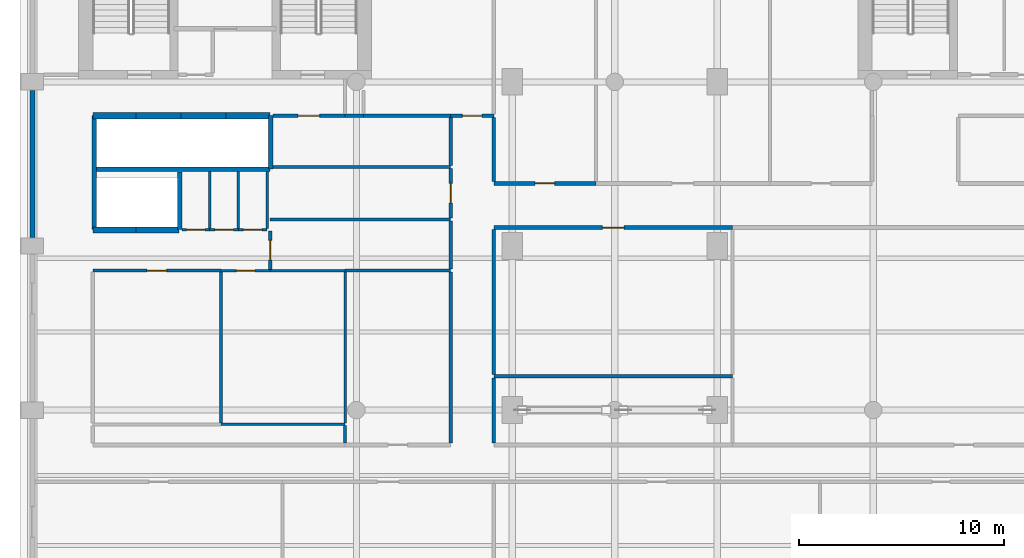
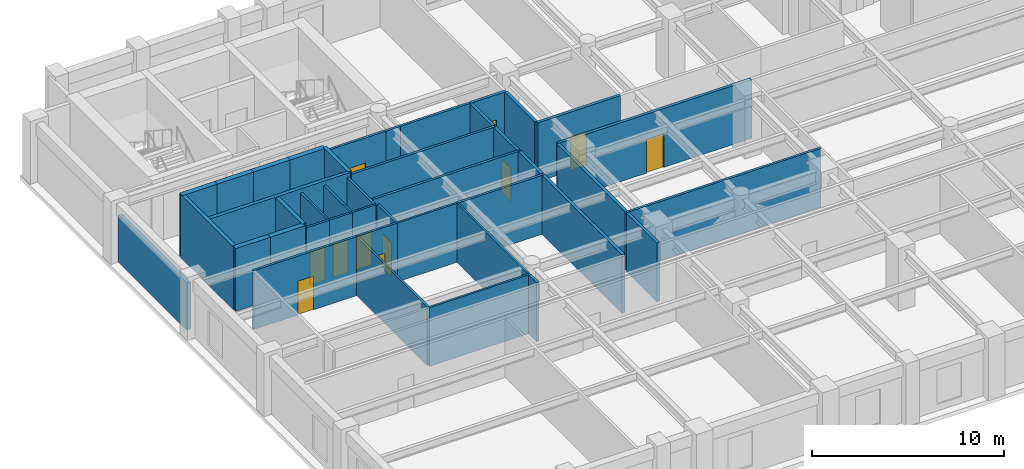
# One storey, part 6 of 11: 42 walls, 11 doors, 11 openings.
"""IFC4 building model written with IfcOpenShell, lengths in metres."""

from ifc_helpers import new_model, si_unit, direction, frame, frame_2d, origin, place, context, subcontext, project, spatial, rectangle, extrude, material, layer, layer_set, type_object, element, fill, save


model = new_model("IFC4")

# Units and contexts
model_context = context("Model", 3, precision=1e-05, world=origin(), true_north=direction((0.0, 1.0)))
body_context = subcontext(model_context, "Body", "Model", "MODEL_VIEW")
ifc_project = project(units=[si_unit("LENGTHUNIT", "METRE"), si_unit("AREAUNIT", "SQUARE_METRE"), si_unit("VOLUMEUNIT", "CUBIC_METRE"), si_unit("PLANEANGLEUNIT", "RADIAN"), si_unit("MASSUNIT", "GRAM", prefix="KILO")], contexts=[model_context])

# Site, building, storey
site_placement = place(None, origin())
site = spatial("IfcSite", under=ifc_project, at=site_placement, CompositionType="ELEMENT")
building_placement = place(site_placement, origin())
building = spatial("IfcBuilding", under=site, at=building_placement, Name="Sulina Concourse Tower", CompositionType="ELEMENT")
storey_placement = place(building_placement, frame((0.0, 0.0, 218.60009765625)))
storey = spatial("IfcBuildingStorey", under=building, at=storey_placement, Name="L53", CompositionType="ELEMENT", Elevation=218.60009765625)

# Walls
ifc_material_1 = material(Name="Concrete C50/60", Category="concrete")
ifc_layer_1 = layer(ifc_material_1, 0.219970703125)
ifc_layer_set_1 = layer_set([ifc_layer_1], Name="Concrete C50/60")
wall_type_1 = type_object("IfcWallType", Name="Core Lift Hoistway Divider Wall 220mm", PredefinedType="SOLIDWALL", material=ifc_layer_set_1)
wall_1_placement = place(storey_placement, frame((3.550048828125, 29.75, 0.0), z_axis=(0.0, 0.0, 1.0), x_axis=(1.0, 0.0, 0.0)))
element("IfcWall", 1, at=wall_1_placement, inside=storey, type_object=wall_type_1, Name="L53 shaft divider wall HW-LP3-S", PredefinedType="SOLIDWALL", context=body_context, shape_type="SweptSolid", body=[
    extrude(rectangle(XDim=8.64990234375, YDim=0.219970703125, at=frame_2d((4.324951171875, 0.0))), origin(), (0.0, 0.0, 1.0), 4.0),
])
wall_2_placement = place(storey_placement, frame((3.6298828125, 26.800048828125, 0.0), z_axis=(0.0, 0.0, 1.0), x_axis=(0.0, 1.0, 0.0)))
element("IfcWall", 2, at=wall_2_placement, inside=storey, type_object=wall_type_1, Name="L53 shaft divider wall HW-LP3-W", PredefinedType="SOLIDWALL", context=body_context, shape_type="SweptSolid", body=[
    extrude(rectangle(XDim=5.550048828125, YDim=0.219970703125, at=frame_2d((2.77490234375, 0.0))), origin(), (0.0, 0.0, 1.0), 4.0),
])
wall_3_placement = place(storey_placement, frame((7.780029296875, 26.800048828125, 0.0), z_axis=(0.0, 0.0, 1.0), x_axis=(0.0, 1.0, 0.0)))
element("IfcWall", 3, at=wall_3_placement, inside=storey, type_object=wall_type_1, Name="L53 shaft divider wall HW-EXP-E", PredefinedType="SOLIDWALL", context=body_context, shape_type="SweptSolid", body=[
    extrude(rectangle(XDim=2.800048828125, YDim=0.219970703125, at=frame_2d((1.39990234375, 0.0))), origin(), (0.0, 0.0, 1.0), 4.0),
])
wall_4_placement = place(storey_placement, frame((12.219970703125, 29.75, 0.0), z_axis=(0.0, 0.0, 1.0), x_axis=(0.0, 1.0, 0.0)))
element("IfcWall", 4, at=wall_4_placement, inside=storey, type_object=wall_type_1, Name="L53 shaft divider wall HW-LP3-E", PredefinedType="SOLIDWALL", context=body_context, shape_type="SweptSolid", body=[
    extrude(rectangle(XDim=2.60009765625, YDim=0.219970703125, at=frame_2d((1.300048828125, 0.0))), origin(), (0.0, 0.0, 1.0), 4.0),
])
ifc_material_2 = material(Name="Concrete C50/60", Category="concrete")
ifc_layer_2 = layer(ifc_material_2, 0.300048828125)
ifc_layer_set_2 = layer_set([ifc_layer_2], Name="Concrete C50/60")
wall_type_2 = type_object("IfcWallType", Name="Core Lift Hoistway Wall 300mm", PredefinedType="SOLIDWALL", material=ifc_layer_set_2)
wall_5_placement = place(storey_placement, frame((3.550048828125, 32.35009765625, 0.0), z_axis=(0.0, 0.0, 1.0), x_axis=(1.0, 0.0, 0.0)))
element("IfcWall", 5, at=wall_5_placement, inside=storey, type_object=wall_type_2, Name="L53 hoistway enclosure wall LP-09", PredefinedType="SOLIDWALL", context=body_context, shape_type="SweptSolid", body=[
    extrude(rectangle(XDim=2.099853515625, YDim=0.300048828125, at=frame_2d((1.0498046875, 0.0))), origin(), (0.0, 0.0, 1.0), 4.0),
])
wall_6_placement = place(storey_placement, frame((5.64990234375, 32.35009765625, 0.0), z_axis=(0.0, 0.0, 1.0), x_axis=(1.0, 0.0, 0.0)))
element("IfcWall", 6, at=wall_6_placement, inside=storey, type_object=wall_type_2, Name="L53 hoistway enclosure wall LP-10", PredefinedType="SOLIDWALL", context=body_context, shape_type="SweptSolid", body=[
    extrude(rectangle(XDim=2.2001953125, YDim=0.300048828125, at=frame_2d((1.10009765625, 0.0))), origin(), (0.0, 0.0, 1.0), 4.0),
])
wall_7_placement = place(storey_placement, frame((7.85009765625, 32.35009765625, 0.0), z_axis=(0.0, 0.0, 1.0), x_axis=(1.0, 0.0, 0.0)))
element("IfcWall", 7, at=wall_7_placement, inside=storey, type_object=wall_type_2, Name="L53 hoistway enclosure wall LP-11", PredefinedType="SOLIDWALL", context=body_context, shape_type="SweptSolid", body=[
    extrude(rectangle(XDim=2.199951171875, YDim=0.300048828125, at=frame_2d((1.10009765625, 0.0))), origin(), (0.0, 0.0, 1.0), 4.0),
])
wall_8_placement = place(storey_placement, frame((10.050048828125, 32.35009765625, 0.0), z_axis=(0.0, 0.0, 1.0), x_axis=(1.0, 0.0, 0.0)))
element("IfcWall", 8, at=wall_8_placement, inside=storey, type_object=wall_type_2, Name="L53 hoistway enclosure wall LP-12", PredefinedType="SOLIDWALL", context=body_context, shape_type="SweptSolid", body=[
    extrude(rectangle(XDim=2.14990234375, YDim=0.300048828125, at=frame_2d((1.074951171875, 0.0))), origin(), (0.0, 0.0, 1.0), 4.0),
])
wall_9_placement = place(storey_placement, frame((5.64990234375, 26.780029296875, 0.0), z_axis=(0.0, 0.0, 1.0), x_axis=(-1.0, 0.0, 0.0)))
element("IfcWall", 9, at=wall_9_placement, inside=storey, type_object=wall_type_2, Name="L53 hoistway enclosure wall EXP-1", PredefinedType="SOLIDWALL", context=body_context, shape_type="SweptSolid", body=[
    extrude(rectangle(XDim=2.099853515625, YDim=0.300048828125, at=frame_2d((1.0498046875, 0.0))), origin(), (0.0, 0.0, 1.0), 4.0),
])
wall_10_placement = place(storey_placement, frame((7.75, 26.780029296875, 0.0), z_axis=(0.0, 0.0, 1.0), x_axis=(-1.0, 0.0, 0.0)))
element("IfcWall", 10, at=wall_10_placement, inside=storey, type_object=wall_type_2, Name="L53 hoistway enclosure wall EXP-2", PredefinedType="SOLIDWALL", context=body_context, shape_type="SweptSolid", body=[
    extrude(rectangle(XDim=2.10009765625, YDim=0.300048828125, at=frame_2d((1.050048828125, 0.0))), origin(), (0.0, 0.0, 1.0), 4.0),
])
ifc_material_3 = material(Name="Precast concrete C50/60", Category="concrete")
ifc_layer_3 = layer(ifc_material_3, 0.239990234375)
ifc_layer_set_3 = layer_set([ifc_layer_3], Name="Precast concrete C50/60")
wall_type_3 = type_object("IfcWallType", Name="Crown Precast Masonry-Frame Facade Wall 240mm", PredefinedType="SOLIDWALL", material=ifc_layer_set_3)
wall_11_placement = place(storey_placement, frame((0.60009765625, 26.419921875, 0.0), z_axis=(0.0, 0.0, 1.0), x_axis=(0.0, 1.0, 0.0)))
element("IfcWall", 11, at=wall_11_placement, inside=storey, type_object=wall_type_3, Name="L53 exterior precast wall W4", PredefinedType="SOLIDWALL", context=body_context, shape_type="SweptSolid", body=[
    extrude(rectangle(XDim=7.16015625, YDim=0.239990234375, at=frame_2d((3.580078125, 0.0))), origin(), (0.0, 0.0, 1.0), 3.0),
])
ifc_material_4 = material(Name="Gypsum board on steel stud", Category="steel")
ifc_layer_4 = layer(ifc_material_4, 0.14990234375)
ifc_layer_set_4 = layer_set([ifc_layer_4], Name="Gypsum board on steel stud")
wall_type_4 = type_object("IfcWallType", Name="Inter-Tenancy Acoustic Partition 150mm", PredefinedType="PARTITIONING", material=ifc_layer_set_4)
wall_12_placement = place(storey_placement, frame((23.10009765625, 19.64990234375, 0.0), z_axis=(0.0, 0.0, 1.0), x_axis=(1.0, 0.0, 0.0)))
element("IfcWall", 12, at=wall_12_placement, inside=storey, type_object=wall_type_4, Name="L53 interior partition 012", PredefinedType="PARTITIONING", context=body_context, shape_type="SweptSolid", body=[
    extrude(rectangle(XDim=11.64990234375, YDim=0.14990234375, at=frame_2d((5.824951171875, 0.0))), origin(), (0.0, 0.0, 1.0), 3.75),
])

# Wall, opening, door
wall_13_placement = place(storey_placement, frame((3.550048828125, 24.800048828125, 0.0), z_axis=(0.0, 0.0, 1.0), x_axis=(1.0, 0.0, 0.0)))
wall_13 = element("IfcWall", 13, at=wall_13_placement, inside=storey, type_object=wall_type_4, Name="L53 interior partition 013", PredefinedType="PARTITIONING", context=body_context, shape_type="SweptSolid", body=[
    extrude(rectangle(XDim=6.25, YDim=0.14990234375, at=frame_2d((3.125, 0.0))), origin(), (0.0, 0.0, 1.0), 3.75),
])
opening_1_placement = place(wall_13_placement, frame((2.64990234375, 0.0, 0.0)))
opening_1 = element("IfcOpeningElement", 14, at=opening_1_placement, cuts=wall_13, Name="Opening DR-19", PredefinedType="OPENING", context=body_context, shape_type="SweptSolid", body=[
    extrude(rectangle(XDim=0.949951171875, YDim=2.14990234375, at=frame_2d((0.47509765625, 1.074951171875))), frame((0.0, 0.0849609375, 0.0), z_axis=(0.0, -1.0, 0.0), x_axis=(1.0, 0.0, 0.0)), (0.0, 0.0, 1.0), 0.169921875),
])
ifc_material_5 = material(Name="Oak-veneered acoustic timber leaf", Category="wood")
ifc_layer_5 = layer(ifc_material_5, 0.050048828125)
ifc_layer_set_5 = layer_set([ifc_layer_5], Name="Oak-veneered acoustic timber leaf")
door_type_1 = type_object("IfcDoorType", Name="Cellular Office & Meeting Door 950x2150", OperationType="NOTDEFINED", PredefinedType="DOOR", material=ifc_layer_set_5)
door_1_placement = place(opening_1_placement, origin())
door_1 = element("IfcDoor", 15, at=door_1_placement, inside=storey, type_object=door_type_1, Name="L53 interior door L53-LR-MRG1", OperationType="SINGLE_SWING_RIGHT", OverallHeight=2.14990234375, OverallWidth=0.949951171875, PredefinedType="DOOR", context=body_context, shape_type="SweptSolid", body=[
    extrude(rectangle(XDim=0.949951171875, YDim=2.14990234375, at=frame_2d((0.47509765625, 1.074951171875))), frame((0.0, 0.02490234375, 0.0), z_axis=(0.0, -1.0, 0.0), x_axis=(1.0, 0.0, 0.0)), (0.0, 0.0, 1.0), 0.050048828125),
])
fill(opening_1, door_1)

# Walls
wall_14_placement = place(storey_placement, frame((15.85009765625, 24.800048828125, 0.0), z_axis=(0.0, 0.0, 1.0), x_axis=(1.0, 0.0, 0.0)))
element("IfcWall", 16, at=wall_14_placement, inside=storey, type_object=wall_type_4, Name="L53 interior partition 016", PredefinedType="PARTITIONING", context=body_context, shape_type="SweptSolid", body=[
    extrude(rectangle(XDim=5.14990234375, YDim=0.14990234375, at=frame_2d((2.574951171875, 0.0))), origin(), (0.0, 0.0, 1.0), 3.75),
])
wall_15_placement = place(storey_placement, frame((12.199951171875, 27.300048828125, 0.0), z_axis=(0.0, 0.0, 1.0), x_axis=(1.0, 0.0, 0.0)))
element("IfcWall", 17, at=wall_15_placement, inside=storey, type_object=wall_type_4, Name="L53 interior partition 022", PredefinedType="PARTITIONING", context=body_context, shape_type="SweptSolid", body=[
    extrude(rectangle(XDim=8.800048828125, YDim=0.14990234375, at=frame_2d((4.39990234375, 0.0))), origin(), (0.0, 0.0, 1.0), 3.75),
])
wall_16_placement = place(storey_placement, frame((12.330078125, 29.85009765625, 0.0), z_axis=(0.0, 0.0, 1.0), x_axis=(1.0, 0.0, 0.0)))
element("IfcWall", 18, at=wall_16_placement, inside=storey, type_object=wall_type_4, Name="L53 interior partition 027", PredefinedType="PARTITIONING", context=body_context, shape_type="SweptSolid", body=[
    extrude(rectangle(XDim=8.669921875, YDim=0.14990234375, at=frame_2d((4.3349609375, 0.0))), origin(), (0.0, 0.0, 1.0), 3.75),
])

# Wall, opening, door
wall_17_placement = place(storey_placement, frame((12.330078125, 32.35009765625, 0.0), z_axis=(0.0, 0.0, 1.0), x_axis=(1.0, 0.0, 0.0)))
wall_17 = element("IfcWall", 19, at=wall_17_placement, inside=storey, type_object=wall_type_4, Name="L53 interior partition 028", PredefinedType="PARTITIONING", context=body_context, shape_type="SweptSolid", body=[
    extrude(rectangle(XDim=3.52001953125, YDim=0.14990234375, at=frame_2d((1.760009765625, 0.0))), origin(), (0.0, 0.0, 1.0), 3.75),
])
opening_2_placement = place(wall_17_placement, frame((1.235107421875, 0.0, 0.0)))
opening_2 = element("IfcOpeningElement", 20, at=opening_2_placement, cuts=wall_17, Name="Opening DR-37", PredefinedType="OPENING", context=body_context, shape_type="SweptSolid", body=[
    extrude(rectangle(XDim=1.050048828125, YDim=2.14990234375, at=frame_2d((0.52490234375, 1.074951171875))), frame((0.0, 0.0849609375, 0.0), z_axis=(0.0, -1.0, 0.0), x_axis=(1.0, 0.0, 0.0)), (0.0, 0.0, 1.0), 0.169921875),
])
ifc_material_6 = material(Name="Oak-veneered fire door leaf")
ifc_layer_6 = layer(ifc_material_6, 0.050048828125)
ifc_layer_set_6 = layer_set([ifc_layer_6], Name="Oak-veneered fire door leaf")
door_type_2 = type_object("IfcDoorType", Name="Tenant Suite Entrance Fire Door 1050x2150", OperationType="NOTDEFINED", PredefinedType="DOOR", material=ifc_layer_set_6)
door_2_placement = place(opening_2_placement, origin())
door_2 = element("IfcDoor", 21, at=door_2_placement, inside=storey, type_object=door_type_2, Name="L53 interior door L53-MR-MRG3", OperationType="SINGLE_SWING_RIGHT", OverallHeight=2.14990234375, OverallWidth=1.050048828125, PredefinedType="DOOR", context=body_context, shape_type="SweptSolid", body=[
    extrude(rectangle(XDim=1.050048828125, YDim=2.14990234375, at=frame_2d((0.52490234375, 1.074951171875))), frame((0.0, 0.02490234375, 0.0), z_axis=(0.0, -1.0, 0.0), x_axis=(1.0, 0.0, 0.0)), (0.0, 0.0, 1.0), 0.050048828125),
])
fill(opening_2, door_2)

# Walls
wall_18_placement = place(storey_placement, frame((15.85009765625, 32.35009765625, 0.0), z_axis=(0.0, 0.0, 1.0), x_axis=(1.0, 0.0, 0.0)))
element("IfcWall", 22, at=wall_18_placement, inside=storey, type_object=wall_type_4, Name="L53 interior partition 029", PredefinedType="PARTITIONING", context=body_context, shape_type="SweptSolid", body=[
    extrude(rectangle(XDim=0.89990234375, YDim=0.14990234375, at=frame_2d((0.449951171875, 0.0))), origin(), (0.0, 0.0, 1.0), 3.75),
])
wall_19_placement = place(storey_placement, frame((16.75, 32.35009765625, 0.0), z_axis=(0.0, 0.0, 1.0), x_axis=(1.0, 0.0, 0.0)))
element("IfcWall", 23, at=wall_19_placement, inside=storey, type_object=wall_type_4, Name="L53 interior partition 030", PredefinedType="PARTITIONING", context=body_context, shape_type="SweptSolid", body=[
    extrude(rectangle(XDim=4.25, YDim=0.14990234375, at=frame_2d((2.125, 0.0))), origin(), (0.0, 0.0, 1.0), 3.75),
])

# Wall, opening, door
wall_20_placement = place(storey_placement, frame((12.199951171875, 24.862548828125, 0.0), z_axis=(0.0, 0.0, 1.0), x_axis=(0.0, 1.0, 0.0)))
wall_20 = element("IfcWall", 24, at=wall_20_placement, inside=storey, type_object=wall_type_4, Name="L53 interior partition 045", PredefinedType="PARTITIONING", context=body_context, shape_type="SweptSolid", body=[
    extrude(rectangle(XDim=1.875, YDim=0.14990234375, at=frame_2d((0.9375, 0.0))), origin(), (0.0, 0.0, 1.0), 3.75),
])
opening_3_placement = place(wall_20_placement, frame((0.46240234375, 0.0, 0.0)))
opening_3 = element("IfcOpeningElement", 25, at=opening_3_placement, cuts=wall_20, Name="Opening DR-19", PredefinedType="OPENING", context=body_context, shape_type="SweptSolid", body=[
    extrude(rectangle(XDim=0.949951171875, YDim=2.14990234375, at=frame_2d((0.47509765625, 1.074951171875))), frame((0.0, 0.0849609375, 0.0), z_axis=(0.0, -1.0, 0.0), x_axis=(1.0, 0.0, 0.0)), (0.0, 0.0, 1.0), 0.169921875),
])
door_3_placement = place(opening_3_placement, origin())
door_3 = element("IfcDoor", 26, at=door_3_placement, inside=storey, type_object=door_type_1, Name="L53 interior door L53-MR-MRG1", OperationType="SINGLE_SWING_LEFT", OverallHeight=2.14990234375, OverallWidth=0.949951171875, PredefinedType="DOOR", context=body_context, shape_type="SweptSolid", body=[
    extrude(rectangle(XDim=0.949951171875, YDim=2.14990234375, at=frame_2d((0.47509765625, 1.074951171875))), frame((0.0, 0.02490234375, 0.0), z_axis=(0.0, -1.0, 0.0), x_axis=(1.0, 0.0, 0.0)), (0.0, 0.0, 1.0), 0.050048828125),
])
fill(opening_3, door_3)

# Wall
wall_21_placement = place(storey_placement, frame((15.85009765625, 16.389892578125, 0.0), z_axis=(0.0, 0.0, 1.0), x_axis=(0.0, 1.0, 0.0)))
element("IfcWall", 27, at=wall_21_placement, inside=storey, type_object=wall_type_4, Name="L53 interior partition 047", PredefinedType="PARTITIONING", context=body_context, shape_type="SweptSolid", body=[
    extrude(rectangle(XDim=0.84765625, YDim=0.14990234375, at=frame_2d((0.423828125, 0.0))), origin(), (0.0, 0.0, 1.0), 3.75),
])

# Wall, opening, door
ifc_material_7 = material(Name="Gypsum board on steel stud", Category="steel")
ifc_layer_7 = layer(ifc_material_7, 0.179931640625)
ifc_layer_set_7 = layer_set([ifc_layer_7], Name="Gypsum board on steel stud")
wall_type_5 = type_object("IfcWallType", Name="Protected Corridor & Riser Partition 180mm", PredefinedType="PARTITIONING", material=ifc_layer_set_7)
wall_22_placement = place(storey_placement, frame((23.10009765625, 26.89990234375, 0.0), z_axis=(0.0, 0.0, 1.0), x_axis=(1.0, 0.0, 0.0)))
wall_22 = element("IfcWall", 28, at=wall_22_placement, inside=storey, type_object=wall_type_5, Name="L53 interior partition 020", PredefinedType="PARTITIONING", context=body_context, shape_type="SweptSolid", body=[
    extrude(rectangle(XDim=11.64990234375, YDim=0.179931640625, at=frame_2d((5.824951171875, 0.0))), origin(), (0.0, 0.0, 1.0), 3.75),
])
opening_4_placement = place(wall_22_placement, frame((5.300048828125, 0.0, 0.0)))
opening_4 = element("IfcOpeningElement", 29, at=opening_4_placement, cuts=wall_22, Name="Opening DR-37", PredefinedType="OPENING", context=body_context, shape_type="SweptSolid", body=[
    extrude(rectangle(XDim=1.050048828125, YDim=2.14990234375, at=frame_2d((0.52490234375, 1.074951171875))), frame((0.0, 0.099853515625, 0.0), z_axis=(0.0, -1.0, 0.0), x_axis=(1.0, 0.0, 0.0)), (0.0, 0.0, 1.0), 0.199951171875),
])
door_4_placement = place(opening_4_placement, origin())
door_4 = element("IfcDoor", 30, at=door_4_placement, inside=storey, type_object=door_type_2, Name="L53 interior door L53-UBT-NRM", OperationType="SINGLE_SWING_LEFT", OverallHeight=2.14990234375, OverallWidth=1.050048828125, PredefinedType="DOOR", context=body_context, shape_type="SweptSolid", body=[
    extrude(rectangle(XDim=1.050048828125, YDim=2.14990234375, at=frame_2d((0.52490234375, 1.074951171875))), frame((0.0, 0.02490234375, 0.0), z_axis=(0.0, -1.0, 0.0), x_axis=(1.0, 0.0, 0.0)), (0.0, 0.0, 1.0), 0.050048828125),
])
fill(opening_4, door_4)

wall_23_placement = place(storey_placement, frame((23.10009765625, 29.050048828125, 0.0), z_axis=(0.0, 0.0, 1.0), x_axis=(1.0, 0.0, 0.0)))
wall_23 = element("IfcWall", 31, at=wall_23_placement, inside=storey, type_object=wall_type_5, Name="L53 interior partition 023", PredefinedType="PARTITIONING", context=body_context, shape_type="SweptSolid", body=[
    extrude(rectangle(XDim=4.989990234375, YDim=0.179931640625, at=frame_2d((2.4951171875, 0.0))), origin(), (0.0, 0.0, 1.0), 3.75),
])
opening_5_placement = place(wall_23_placement, frame((2.02001953125, 0.0, 0.0)))
opening_5 = element("IfcOpeningElement", 32, at=opening_5_placement, cuts=wall_23, Name="Opening DR-19", PredefinedType="OPENING", context=body_context, shape_type="SweptSolid", body=[
    extrude(rectangle(XDim=0.949951171875, YDim=2.14990234375, at=frame_2d((0.47509765625, 1.074951171875))), frame((0.0, 0.099853515625, 0.0), z_axis=(0.0, -1.0, 0.0), x_axis=(1.0, 0.0, 0.0)), (0.0, 0.0, 1.0), 0.199951171875),
])
door_5_placement = place(opening_5_placement, origin())
door_5 = element("IfcDoor", 33, at=door_5_placement, inside=storey, type_object=door_type_1, Name="L53 interior door L53-NC1", OperationType="SINGLE_SWING_RIGHT", OverallHeight=2.14990234375, OverallWidth=0.949951171875, PredefinedType="DOOR", context=body_context, shape_type="SweptSolid", body=[
    extrude(rectangle(XDim=0.949951171875, YDim=2.14990234375, at=frame_2d((0.47509765625, 1.074951171875))), frame((0.0, 0.02490234375, 0.0), z_axis=(0.0, -1.0, 0.0), x_axis=(1.0, 0.0, 0.0)), (0.0, 0.0, 1.0), 0.050048828125),
])
fill(opening_5, door_5)

wall_24_placement = place(storey_placement, frame((21.0, 32.35009765625, 0.0), z_axis=(0.0, 0.0, 1.0), x_axis=(1.0, 0.0, 0.0)))
wall_24 = element("IfcWall", 34, at=wall_24_placement, inside=storey, type_object=wall_type_5, Name="L53 interior partition 031", PredefinedType="PARTITIONING", context=body_context, shape_type="SweptSolid", body=[
    extrude(rectangle(XDim=2.10009765625, YDim=0.179931640625, at=frame_2d((1.050048828125, 0.0))), origin(), (0.0, 0.0, 1.0), 3.75),
])
opening_6_placement = place(wall_24_placement, frame((0.574951171875, 0.0, 0.0)))
opening_6 = element("IfcOpeningElement", 35, at=opening_6_placement, cuts=wall_24, Name="Opening DR-19", PredefinedType="OPENING", context=body_context, shape_type="SweptSolid", body=[
    extrude(rectangle(XDim=0.949951171875, YDim=2.14990234375, at=frame_2d((0.47509765625, 1.074951171875))), frame((0.0, 0.099853515625, 0.0), z_axis=(0.0, -1.0, 0.0), x_axis=(1.0, 0.0, 0.0)), (0.0, 0.0, 1.0), 0.199951171875),
])
door_6_placement = place(opening_6_placement, origin())
door_6 = element("IfcDoor", 36, at=door_6_placement, inside=storey, type_object=door_type_1, Name="L53 interior door L53-NC-NW", OperationType="SINGLE_SWING_LEFT", OverallHeight=2.14990234375, OverallWidth=0.949951171875, PredefinedType="DOOR", context=body_context, shape_type="SweptSolid", body=[
    extrude(rectangle(XDim=0.949951171875, YDim=2.14990234375, at=frame_2d((0.47509765625, 1.074951171875))), frame((0.0, 0.02490234375, 0.0), z_axis=(0.0, -1.0, 0.0), x_axis=(1.0, 0.0, 0.0)), (0.0, 0.0, 1.0), 0.050048828125),
])
fill(opening_6, door_6)

# Walls
wall_25_placement = place(storey_placement, frame((21.0, 16.389892578125, 0.0), z_axis=(0.0, 0.0, 1.0), x_axis=(0.0, 1.0, 0.0)))
element("IfcWall", 37, at=wall_25_placement, inside=storey, type_object=wall_type_5, Name="L53 interior partition 051", PredefinedType="PARTITIONING", context=body_context, shape_type="SweptSolid", body=[
    extrude(rectangle(XDim=8.335205078125, YDim=0.179931640625, at=frame_2d((4.16748046875, 0.0))), origin(), (0.0, 0.0, 1.0), 3.75),
])
wall_26_placement = place(storey_placement, frame((21.0, 24.875, 0.0), z_axis=(0.0, 0.0, 1.0), x_axis=(0.0, 1.0, 0.0)))
element("IfcWall", 38, at=wall_26_placement, inside=storey, type_object=wall_type_5, Name="L53 interior partition 052", PredefinedType="PARTITIONING", context=body_context, shape_type="SweptSolid", body=[
    extrude(rectangle(XDim=2.35009765625, YDim=0.179931640625, at=frame_2d((1.175048828125, 0.0))), origin(), (0.0, 0.0, 1.0), 3.75),
])

# Wall, opening, door
wall_27_placement = place(storey_placement, frame((21.0, 27.375, 0.0), z_axis=(0.0, 0.0, 1.0), x_axis=(0.0, 1.0, 0.0)))
wall_27 = element("IfcWall", 39, at=wall_27_placement, inside=storey, type_object=wall_type_5, Name="L53 interior partition 053", PredefinedType="PARTITIONING", context=body_context, shape_type="SweptSolid", body=[
    extrude(rectangle(XDim=2.39990234375, YDim=0.179931640625, at=frame_2d((1.199951171875, 0.0))), origin(), (0.0, 0.0, 1.0), 3.75),
])
opening_7_placement = place(wall_27_placement, frame((0.72509765625, 0.0, 0.0)))
opening_7 = element("IfcOpeningElement", 40, at=opening_7_placement, cuts=wall_27, Name="Opening DR-19", PredefinedType="OPENING", context=body_context, shape_type="SweptSolid", body=[
    extrude(rectangle(XDim=0.949951171875, YDim=2.14990234375, at=frame_2d((0.47509765625, 1.074951171875))), frame((0.0, 0.099853515625, 0.0), z_axis=(0.0, -1.0, 0.0), x_axis=(1.0, 0.0, 0.0)), (0.0, 0.0, 1.0), 0.199951171875),
])
door_7_placement = place(opening_7_placement, origin())
door_7 = element("IfcDoor", 41, at=door_7_placement, inside=storey, type_object=door_type_1, Name="L53 interior door L53-MR-MRG2", OperationType="SINGLE_SWING_RIGHT", OverallHeight=2.14990234375, OverallWidth=0.949951171875, PredefinedType="DOOR", context=body_context, shape_type="SweptSolid", body=[
    extrude(rectangle(XDim=0.949951171875, YDim=2.14990234375, at=frame_2d((0.47509765625, 1.074951171875))), frame((0.0, 0.02490234375, 0.0), z_axis=(0.0, -1.0, 0.0), x_axis=(1.0, 0.0, 0.0)), (0.0, 0.0, 1.0), 0.050048828125),
])
fill(opening_7, door_7)

# Walls
wall_28_placement = place(storey_placement, frame((21.0, 29.925048828125, 0.0), z_axis=(0.0, 0.0, 1.0), x_axis=(0.0, 1.0, 0.0)))
element("IfcWall", 42, at=wall_28_placement, inside=storey, type_object=wall_type_5, Name="L53 interior partition 054", PredefinedType="PARTITIONING", context=body_context, shape_type="SweptSolid", body=[
    extrude(rectangle(XDim=2.3349609375, YDim=0.179931640625, at=frame_2d((1.16748046875, 0.0))), origin(), (0.0, 0.0, 1.0), 3.75),
])
wall_29_placement = place(storey_placement, frame((23.10009765625, 16.389892578125, 0.0), z_axis=(0.0, 0.0, 1.0), x_axis=(0.0, 1.0, 0.0)))
element("IfcWall", 43, at=wall_29_placement, inside=storey, type_object=wall_type_5, Name="L53 interior partition 056", PredefinedType="PARTITIONING", context=body_context, shape_type="SweptSolid", body=[
    extrude(rectangle(XDim=3.18505859375, YDim=0.179931640625, at=frame_2d((1.592529296875, 0.0))), origin(), (0.0, 0.0, 1.0), 3.75),
])
wall_30_placement = place(storey_placement, frame((23.10009765625, 19.72509765625, 0.0), z_axis=(0.0, 0.0, 1.0), x_axis=(0.0, 1.0, 0.0)))
element("IfcWall", 44, at=wall_30_placement, inside=storey, type_object=wall_type_5, Name="L53 interior partition 057", PredefinedType="PARTITIONING", context=body_context, shape_type="SweptSolid", body=[
    extrude(rectangle(XDim=7.0849609375, YDim=0.179931640625, at=frame_2d((3.54248046875, 0.0))), origin(), (0.0, 0.0, 1.0), 3.75),
])
wall_31_placement = place(storey_placement, frame((23.10009765625, 29.139892578125, 0.0), z_axis=(0.0, 0.0, 1.0), x_axis=(0.0, 1.0, 0.0)))
element("IfcWall", 45, at=wall_31_placement, inside=storey, type_object=wall_type_5, Name="L53 interior partition 058", PredefinedType="PARTITIONING", context=body_context, shape_type="SweptSolid", body=[
    extrude(rectangle(XDim=3.1201171875, YDim=0.179931640625, at=frame_2d((1.56005859375, 0.0))), origin(), (0.0, 0.0, 1.0), 3.75),
])
ifc_material_8 = material(Name="Gypsum board on steel stud", Category="steel")
ifc_layer_8 = layer(ifc_material_8, 0.125)
ifc_layer_set_8 = layer_set([ifc_layer_8], Name="Gypsum board on steel stud")
wall_type_6 = type_object("IfcWallType", Name="Wet-Area Moisture-Resistant Partition 125mm", PredefinedType="PARTITIONING", material=ifc_layer_set_8)
wall_32_placement = place(storey_placement, frame((9.800048828125, 17.300048828125, 0.0), z_axis=(0.0, 0.0, 1.0), x_axis=(1.0, 0.0, 0.0)))
element("IfcWall", 46, at=wall_32_placement, inside=storey, type_object=wall_type_6, Name="L53 interior partition 011", PredefinedType="PARTITIONING", context=body_context, shape_type="SweptSolid", body=[
    extrude(rectangle(XDim=6.050048828125, YDim=0.125, at=frame_2d((3.02490234375, 0.0))), origin(), (0.0, 0.0, 1.0), 3.75),
])

# Wall, opening, door
wall_33_placement = place(storey_placement, frame((9.800048828125, 24.800048828125, 0.0), z_axis=(0.0, 0.0, 1.0), x_axis=(1.0, 0.0, 0.0)))
wall_33 = element("IfcWall", 47, at=wall_33_placement, inside=storey, type_object=wall_type_6, Name="L53 interior partition 014", PredefinedType="PARTITIONING", context=body_context, shape_type="SweptSolid", body=[
    extrude(rectangle(XDim=2.39990234375, YDim=0.125, at=frame_2d((1.199951171875, 0.0))), origin(), (0.0, 0.0, 1.0), 3.75),
])
opening_8_placement = place(wall_33_placement, frame((0.75, 0.0, 0.0)))
opening_8 = element("IfcOpeningElement", 48, at=opening_8_placement, cuts=wall_33, Name="Opening DR-21", PredefinedType="OPENING", context=body_context, shape_type="SweptSolid", body=[
    extrude(rectangle(XDim=0.89990234375, YDim=2.10009765625, at=frame_2d((0.449951171875, 1.050048828125))), frame((0.0, 0.072509765625, 0.0), z_axis=(0.0, -1.0, 0.0), x_axis=(1.0, 0.0, 0.0)), (0.0, 0.0, 1.0), 0.14501953125),
])
ifc_material_9 = material(Name="Oak-veneered fire door leaf")
ifc_layer_9 = layer(ifc_material_9, 0.050048828125)
ifc_layer_set_9 = layer_set([ifc_layer_9], Name="Oak-veneered fire door leaf")
door_type_3 = type_object("IfcDoorType", Name="Restroom & Service Door 900x2100", OperationType="NOTDEFINED", PredefinedType="DOOR", material=ifc_layer_set_9)
door_8_placement = place(opening_8_placement, origin())
door_8 = element("IfcDoor", 49, at=door_8_placement, inside=storey, type_object=door_type_3, Name="L53 interior door L53-LR-MRG2", OperationType="SINGLE_SWING_LEFT", OverallHeight=2.10009765625, OverallWidth=0.89990234375, PredefinedType="DOOR", context=body_context, shape_type="SweptSolid", body=[
    extrude(rectangle(XDim=0.89990234375, YDim=2.10009765625, at=frame_2d((0.449951171875, 1.050048828125))), frame((0.0, 0.02490234375, 0.0), z_axis=(0.0, -1.0, 0.0), x_axis=(1.0, 0.0, 0.0)), (0.0, 0.0, 1.0), 0.050048828125),
])
fill(opening_8, door_8)

# Wall
wall_34_placement = place(storey_placement, frame((12.199951171875, 24.800048828125, 0.0), z_axis=(0.0, 0.0, 1.0), x_axis=(1.0, 0.0, 0.0)))
element("IfcWall", 50, at=wall_34_placement, inside=storey, type_object=wall_type_6, Name="L53 interior partition 015", PredefinedType="PARTITIONING", context=body_context, shape_type="SweptSolid", body=[
    extrude(rectangle(XDim=3.650146484375, YDim=0.125, at=frame_2d((1.8251953125, 0.0))), origin(), (0.0, 0.0, 1.0), 3.75),
])

# Wall, opening, door
wall_35_placement = place(storey_placement, frame((7.889892578125, 26.800048828125, 0.0), z_axis=(0.0, 0.0, 1.0), x_axis=(1.0, 0.0, 0.0)))
wall_35 = element("IfcWall", 51, at=wall_35_placement, inside=storey, type_object=wall_type_6, Name="L53 interior partition 017", PredefinedType="PARTITIONING", context=body_context, shape_type="SweptSolid", body=[
    extrude(rectangle(XDim=1.360107421875, YDim=0.125, at=frame_2d((0.68017578125, 0.0))), origin(), (0.0, 0.0, 1.0), 3.75),
])
opening_9_placement = place(wall_35_placement, frame((0.22998046875, 0.0, 0.0)))
opening_9 = element("IfcOpeningElement", 52, at=opening_9_placement, cuts=wall_35, Name="Opening DR-21", PredefinedType="OPENING", context=body_context, shape_type="SweptSolid", body=[
    extrude(rectangle(XDim=0.89990234375, YDim=2.10009765625, at=frame_2d((0.449951171875, 1.050048828125))), frame((0.0, 0.072509765625, 0.0), z_axis=(0.0, -1.0, 0.0), x_axis=(1.0, 0.0, 0.0)), (0.0, 0.0, 1.0), 0.14501953125),
])
door_9_placement = place(opening_9_placement, origin())
door_9 = element("IfcDoor", 53, at=door_9_placement, inside=storey, type_object=door_type_3, Name="L53 interior door L53-WC-M", OperationType="SINGLE_SWING_RIGHT", OverallHeight=2.10009765625, OverallWidth=0.89990234375, PredefinedType="DOOR", context=body_context, shape_type="SweptSolid", body=[
    extrude(rectangle(XDim=0.89990234375, YDim=2.10009765625, at=frame_2d((0.449951171875, 1.050048828125))), frame((0.0, 0.02490234375, 0.0), z_axis=(0.0, -1.0, 0.0), x_axis=(1.0, 0.0, 0.0)), (0.0, 0.0, 1.0), 0.050048828125),
])
fill(opening_9, door_9)

wall_36_placement = place(storey_placement, frame((9.25, 26.800048828125, 0.0), z_axis=(0.0, 0.0, 1.0), x_axis=(1.0, 0.0, 0.0)))
wall_36 = element("IfcWall", 54, at=wall_36_placement, inside=storey, type_object=wall_type_6, Name="L53 interior partition 018", PredefinedType="PARTITIONING", context=body_context, shape_type="SweptSolid", body=[
    extrude(rectangle(XDim=1.39990234375, YDim=0.125, at=frame_2d((0.699951171875, 0.0))), origin(), (0.0, 0.0, 1.0), 3.75),
])
opening_10_placement = place(wall_36_placement, frame((0.25, 0.0, 0.0)))
opening_10 = element("IfcOpeningElement", 55, at=opening_10_placement, cuts=wall_36, Name="Opening DR-21", PredefinedType="OPENING", context=body_context, shape_type="SweptSolid", body=[
    extrude(rectangle(XDim=0.89990234375, YDim=2.10009765625, at=frame_2d((0.449951171875, 1.050048828125))), frame((0.0, 0.072509765625, 0.0), z_axis=(0.0, -1.0, 0.0), x_axis=(1.0, 0.0, 0.0)), (0.0, 0.0, 1.0), 0.14501953125),
])
door_10_placement = place(opening_10_placement, origin())
door_10 = element("IfcDoor", 56, at=door_10_placement, inside=storey, type_object=door_type_3, Name="L53 interior door L53-WC-F", OperationType="SINGLE_SWING_LEFT", OverallHeight=2.10009765625, OverallWidth=0.89990234375, PredefinedType="DOOR", context=body_context, shape_type="SweptSolid", body=[
    extrude(rectangle(XDim=0.89990234375, YDim=2.10009765625, at=frame_2d((0.449951171875, 1.050048828125))), frame((0.0, 0.02490234375, 0.0), z_axis=(0.0, -1.0, 0.0), x_axis=(1.0, 0.0, 0.0)), (0.0, 0.0, 1.0), 0.050048828125),
])
fill(opening_10, door_10)

wall_37_placement = place(storey_placement, frame((10.64990234375, 26.800048828125, 0.0), z_axis=(0.0, 0.0, 1.0), x_axis=(1.0, 0.0, 0.0)))
wall_37 = element("IfcWall", 57, at=wall_37_placement, inside=storey, type_object=wall_type_6, Name="L53 interior partition 019", PredefinedType="PARTITIONING", context=body_context, shape_type="SweptSolid", body=[
    extrude(rectangle(XDim=1.400146484375, YDim=0.125, at=frame_2d((0.7001953125, 0.0))), origin(), (0.0, 0.0, 1.0), 3.75),
])
opening_11_placement = place(wall_37_placement, frame((0.239990234375, 0.0, 0.0)))
opening_11 = element("IfcOpeningElement", 58, at=opening_11_placement, cuts=wall_37, Name="Opening DR-61", PredefinedType="OPENING", context=body_context, shape_type="SweptSolid", body=[
    extrude(rectangle(XDim=0.919921875, YDim=2.10009765625, at=frame_2d((0.4599609375, 1.050048828125))), frame((0.0, 0.072509765625, 0.0), z_axis=(0.0, -1.0, 0.0), x_axis=(1.0, 0.0, 0.0)), (0.0, 0.0, 1.0), 0.14501953125),
])
ifc_material_10 = material(Name="Oak-veneered fire door leaf")
ifc_layer_10 = layer(ifc_material_10, 0.050048828125)
ifc_layer_set_10 = layer_set([ifc_layer_10], Name="Oak-veneered fire door leaf")
door_type_4 = type_object("IfcDoorType", Name="Accessible WC Door 920x2100", OperationType="NOTDEFINED", PredefinedType="DOOR", material=ifc_layer_set_10)
door_11_placement = place(opening_11_placement, origin())
door_11 = element("IfcDoor", 59, at=door_11_placement, inside=storey, type_object=door_type_4, Name="L53 interior door L53-WC-ACC", OperationType="SINGLE_SWING_RIGHT", OverallHeight=2.10009765625, OverallWidth=0.919921875, PredefinedType="DOOR", context=body_context, shape_type="SweptSolid", body=[
    extrude(rectangle(XDim=0.919921875, YDim=2.10009765625, at=frame_2d((0.4599609375, 1.050048828125))), frame((0.0, 0.02490234375, 0.0), z_axis=(0.0, -1.0, 0.0), x_axis=(1.0, 0.0, 0.0)), (0.0, 0.0, 1.0), 0.050048828125),
])
fill(opening_11, door_11)

# Walls
wall_38_placement = place(storey_placement, frame((9.25, 26.862548828125, 0.0), z_axis=(0.0, 0.0, 1.0), x_axis=(0.0, 1.0, 0.0)))
element("IfcWall", 60, at=wall_38_placement, inside=storey, type_object=wall_type_6, Name="L53 interior partition 040", PredefinedType="PARTITIONING", context=body_context, shape_type="SweptSolid", body=[
    extrude(rectangle(XDim=2.77734375, YDim=0.125, at=frame_2d((1.388671875, 0.0))), origin(), (0.0, 0.0, 1.0), 3.75),
])
wall_39_placement = place(storey_placement, frame((9.800048828125, 17.375, 0.0), z_axis=(0.0, 0.0, 1.0), x_axis=(0.0, 1.0, 0.0)))
element("IfcWall", 61, at=wall_39_placement, inside=storey, type_object=wall_type_6, Name="L53 interior partition 042", PredefinedType="PARTITIONING", context=body_context, shape_type="SweptSolid", body=[
    extrude(rectangle(XDim=7.35009765625, YDim=0.125, at=frame_2d((3.675048828125, 0.0))), origin(), (0.0, 0.0, 1.0), 3.75),
])
for number, where, z_axis, x_axis, name in (
    (62, (10.64990234375, 26.862548828125, 0.0), (0.0, 0.0, 1.0), (0.0, 1.0, 0.0), "L53 interior partition 043"),
    (63, (12.050048828125, 26.862548828125, 0.0), (0.0, 0.0, 1.0), (0.0, 1.0, 0.0), "L53 interior partition 044"),
):
    element("IfcWall", number, at=place(storey_placement, frame(where, z_axis=z_axis, x_axis=x_axis)), inside=storey, type_object=wall_type_6, Name=name, PredefinedType="PARTITIONING", context=body_context, shape_type="SweptSolid", body=[
        extrude(rectangle(XDim=2.77734375, YDim=0.125, at=frame_2d((1.388671875, 0.0))), origin(), (0.0, 0.0, 1.0), 3.75),
    ])
wall_40_placement = place(storey_placement, frame((15.85009765625, 17.362548828125, 0.0), z_axis=(0.0, 0.0, 1.0), x_axis=(0.0, 1.0, 0.0)))
element("IfcWall", 64, at=wall_40_placement, inside=storey, type_object=wall_type_6, Name="L53 interior partition 048", PredefinedType="PARTITIONING", context=body_context, shape_type="SweptSolid", body=[
    extrude(rectangle(XDim=7.362548828125, YDim=0.125, at=frame_2d((3.68115234375, 0.0))), origin(), (0.0, 0.0, 1.0), 3.75),
])

save(model, "model.ifc")
